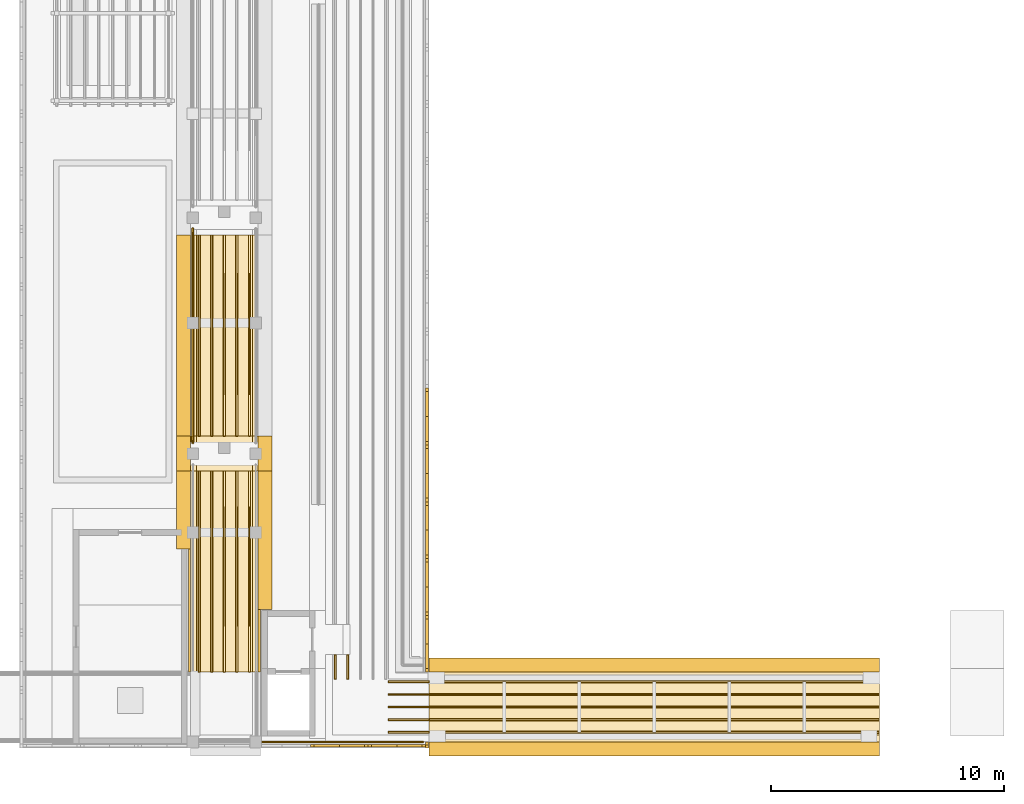
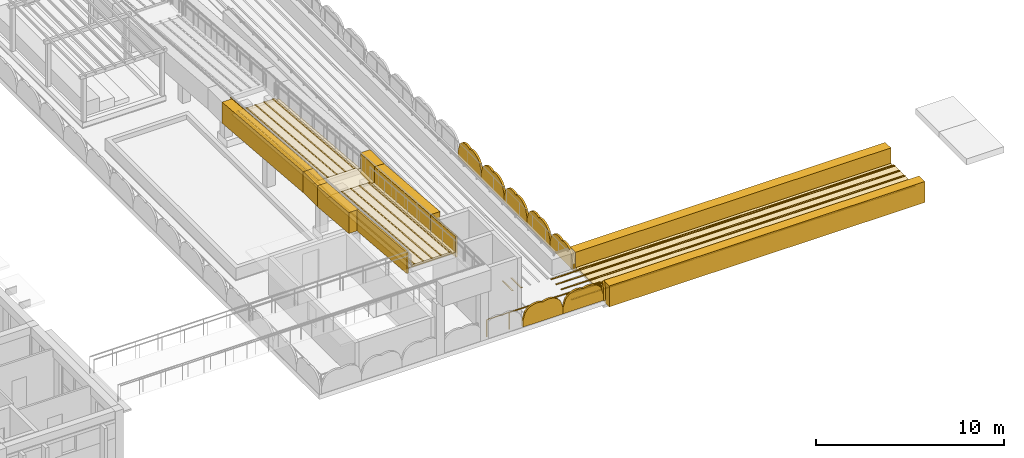
# One storey, part 62 of 65: 39 coverings, 8 shading devices, 2 railings.
"""IFC4 building model written with IfcOpenShell, lengths in metres."""

from ifc_helpers import new_model, si_unit, direction, frame, origin, origin_2d, place, context, subcontext, project, spatial, polyline, circle, outline, extrude, material, layer, layer_set, type_object, element, save


model = new_model("IFC4")

# Units and contexts
model_context = context("Model", 3, precision=1e-05, world=origin(), true_north=direction((0.0, 1.0)))
body_context = subcontext(model_context, "Body", "Model", "MODEL_VIEW")
ifc_project = project(units=[si_unit("LENGTHUNIT", "METRE"), si_unit("AREAUNIT", "SQUARE_METRE"), si_unit("VOLUMEUNIT", "CUBIC_METRE"), si_unit("PLANEANGLEUNIT", "RADIAN"), si_unit("MASSUNIT", "GRAM", prefix="KILO")], contexts=[model_context])

# Site, building, storey
site_placement = place(None, origin())
site = spatial("IfcSite", under=ifc_project, at=site_placement, CompositionType="ELEMENT")
building_placement = place(site_placement, origin())
building = spatial("IfcBuilding", under=site, at=building_placement, Name="Elbe Cascade School", CompositionType="ELEMENT")
storey_placement = place(building_placement, frame((0.0, 0.0, 11.699951171875)))
storey = spatial("IfcBuildingStorey", under=building, at=storey_placement, Name="L03", CompositionType="ELEMENT", Elevation=11.699951171875)

# Shading devices
ifc_material_1 = material(Name="Precast concrete C40/50", Category="concrete")
ifc_layer_1 = layer(ifc_material_1, 0.1201171875)
ifc_layer_set_1 = layer_set([ifc_layer_1], Name="Precast concrete C40/50")
shading_device_type = type_object("IfcShadingDeviceType", Name="Bars envelope Attic jali screen, pointed arch top, pierced precast concrete, 1200 high", PredefinedType="USERDEFINED", material=ifc_layer_set_1)
shading_device_1_placement = place(storey_placement, frame((145.52001953125, 5.75, 0.0), z_axis=(1.0, 0.0, 0.0), x_axis=(0.0, 1.0, 0.0)))
element("IfcShadingDevice", 1, at=shading_device_1_placement, inside=storey, type_object=shading_device_type, Name="Attic jali screen SD1 C.L03.e1", ObjectType="JALI", PredefinedType="USERDEFINED", context=body_context, shape_type="SweptSolid", body=[
    extrude(outline(polyline([(0.0, 0.0), (0.25, 0.0), (0.25, 0.400146484375), (0.234375, 0.685791015625), (0.21875, 0.8037109375), (0.203125, 0.8935546875), (0.1875, 0.96923828125), (0.171875, 1.035400390625), (0.15625, 1.094970703125), (0.140625, 1.149658203125), (0.125, 1.199951171875), (0.109375, 1.149658203125), (0.09375, 1.094970703125), (0.078125, 1.035400390625), (0.0625, 0.96923828125), (0.046875, 0.8935546875), (0.03125, 0.8037109375), (0.015625, 0.685791015625), (0.0, 0.400146484375), (0.0, 0.0)])), origin(), (0.0, 0.0, -1.0), 0.1201171875),
])
shading_device_2_placement = place(storey_placement, frame((145.52001953125, 9.0, 0.0), z_axis=(1.0, 0.0, 0.0), x_axis=(0.0, 1.0, 0.0)))
element("IfcShadingDevice", 2, at=shading_device_2_placement, inside=storey, type_object=shading_device_type, Name="Attic jali screen SD1 C.L03.e2", ObjectType="JALI", PredefinedType="USERDEFINED", context=body_context, shape_type="SweptSolid", body=[
    extrude(outline(polyline([(0.0, 0.0), (2.4404296875, 0.0), (2.4404296875, 0.400146484375), (2.287841796875, 0.892822265625), (2.135498046875, 1.062744140625), (1.98291015625, 1.16748046875), (1.830322265625, 1.23193359375), (1.677734375, 1.265380859375), (1.525390625, 1.271240234375), (1.372802734375, 1.250244140625), (1.22021484375, 1.199951171875), (1.067626953125, 1.250244140625), (0.915283203125, 1.271240234375), (0.7626953125, 1.265380859375), (0.610107421875, 1.23193359375), (0.45751953125, 1.16748046875), (0.30517578125, 1.062744140625), (0.152587890625, 0.892822265625), (0.0, 0.400146484375), (0.0, 0.0)])), origin(), (0.0, 0.0, -1.0), 0.1201171875),
])
shading_device_3_placement = place(storey_placement, frame((145.52001953125, 11.4404296875, 0.0), z_axis=(1.0, 0.0, 0.0), x_axis=(0.0, 1.0, 0.0)))
element("IfcShadingDevice", 3, at=shading_device_3_placement, inside=storey, type_object=shading_device_type, Name="Attic jali screen SD1 C.L03.e3", ObjectType="JALI", PredefinedType="USERDEFINED", context=body_context, shape_type="SweptSolid", body=[
    extrude(outline(polyline([(0.0, 0.0), (2.440673828125, 0.0), (2.440673828125, 0.400146484375), (2.2880859375, 0.892822265625), (2.135498046875, 1.062744140625), (1.98291015625, 1.16748046875), (1.830322265625, 1.23193359375), (1.677978515625, 1.265380859375), (1.525390625, 1.271240234375), (1.372802734375, 1.250244140625), (1.22021484375, 1.199951171875), (1.06787109375, 1.250244140625), (0.915283203125, 1.271240234375), (0.7626953125, 1.265380859375), (0.610107421875, 1.23193359375), (0.457763671875, 1.16748046875), (0.30517578125, 1.062744140625), (0.152587890625, 0.892822265625), (0.0, 0.400146484375), (0.0, 0.0)])), origin(), (0.0, 0.0, -1.0), 0.1201171875),
])
shading_device_4_placement = place(storey_placement, frame((145.52001953125, 13.881103515625, 0.0), z_axis=(1.0, 0.0, 0.0), x_axis=(0.0, 1.0, 0.0)))
element("IfcShadingDevice", 4, at=shading_device_4_placement, inside=storey, type_object=shading_device_type, Name="Attic jali screen SD1 C.L03.e4", ObjectType="JALI", PredefinedType="USERDEFINED", context=body_context, shape_type="SweptSolid", body=[
    extrude(outline(polyline([(0.0, 0.0), (2.440185546875, 0.0), (2.440185546875, 0.400146484375), (2.287841796875, 0.892822265625), (2.13525390625, 1.062744140625), (1.982666015625, 1.16748046875), (1.830078125, 1.23193359375), (1.677734375, 1.265380859375), (1.525146484375, 1.271240234375), (1.37255859375, 1.250244140625), (1.22021484375, 1.199951171875), (1.067626953125, 1.250244140625), (0.9150390625, 1.271240234375), (0.762451171875, 1.265380859375), (0.610107421875, 1.23193359375), (0.457275390625, 1.16748046875), (0.304931640625, 1.062744140625), (0.15234375, 0.892822265625), (0.0, 0.400146484375), (0.0, 0.0)])), origin(), (0.0, 0.0, -1.0), 0.1201171875),
])
shading_device_5_placement = place(storey_placement, frame((145.52001953125, 16.3212890625, 0.0), z_axis=(1.0, 0.0, 0.0), x_axis=(0.0, 1.0, 0.0)))
element("IfcShadingDevice", 5, at=shading_device_5_placement, inside=storey, type_object=shading_device_type, Name="Attic jali screen SD1 C.L03.e5", ObjectType="JALI", PredefinedType="USERDEFINED", context=body_context, shape_type="SweptSolid", body=[
    extrude(outline(polyline([(0.0, 0.0), (2.440673828125, 0.0), (2.440673828125, 0.400146484375), (2.2880859375, 0.892822265625), (2.135498046875, 1.062744140625), (1.98291015625, 1.16748046875), (1.83056640625, 1.23193359375), (1.677978515625, 1.265380859375), (1.525390625, 1.271240234375), (1.372802734375, 1.250244140625), (1.220458984375, 1.199951171875), (1.06787109375, 1.250244140625), (0.915283203125, 1.271240234375), (0.7626953125, 1.265380859375), (0.610107421875, 1.23193359375), (0.457763671875, 1.16748046875), (0.30517578125, 1.062744140625), (0.15283203125, 0.892822265625), (0.0, 0.400146484375), (0.0, 0.0)])), origin(), (0.0, 0.0, -1.0), 0.1201171875),
])
shading_device_6_placement = place(storey_placement, frame((145.52001953125, 18.761962890625, 0.0), z_axis=(1.0, 0.0, 0.0), x_axis=(0.0, 1.0, 0.0)))
element("IfcShadingDevice", 6, at=shading_device_6_placement, inside=storey, type_object=shading_device_type, Name="Attic jali screen SD1 C.L03.e6", ObjectType="JALI", PredefinedType="USERDEFINED", context=body_context, shape_type="SweptSolid", body=[
    extrude(outline(polyline([(0.0, 0.0), (2.4404296875, 0.0), (2.4404296875, 0.400146484375), (2.287841796875, 0.892822265625), (2.13525390625, 1.062744140625), (1.98291015625, 1.16748046875), (1.830322265625, 1.23193359375), (1.677734375, 1.265380859375), (1.525146484375, 1.271240234375), (1.372802734375, 1.250244140625), (1.22021484375, 1.199951171875), (1.067626953125, 1.250244140625), (0.9150390625, 1.271240234375), (0.7626953125, 1.265380859375), (0.610107421875, 1.23193359375), (0.45751953125, 1.16748046875), (0.304931640625, 1.062744140625), (0.15234375, 0.892822265625), (0.0, 0.400146484375), (0.0, 0.0)])), origin(), (0.0, 0.0, -1.0), 0.1201171875),
])
shading_device_7_placement = place(storey_placement, frame((140.45703125, 5.780029296875, 0.0), z_axis=(0.0, -1.0, 0.0), x_axis=(1.0, 0.0, 0.0)))
element("IfcShadingDevice", 7, at=shading_device_7_placement, inside=storey, type_object=shading_device_type, Name="Attic jali screen SD1 C.L03.s6", ObjectType="JALI", PredefinedType="USERDEFINED", context=body_context, shape_type="SweptSolid", body=[
    extrude(outline(polyline([(0.0, 0.0), (2.4716796875, 0.0), (2.4716796875, 0.400146484375), (2.317138671875, 0.89697265625), (2.16259765625, 1.068115234375), (2.008056640625, 1.17333984375), (1.853759765625, 1.23779296875), (1.69921875, 1.270751953125), (1.544677734375, 1.275390625), (1.390380859375, 1.252685546875), (1.23583984375, 1.199951171875), (1.081298828125, 1.252685546875), (0.9267578125, 1.275390625), (0.7724609375, 1.270751953125), (0.617919921875, 1.23779296875), (0.46337890625, 1.17333984375), (0.30908203125, 1.068115234375), (0.154541015625, 0.89697265625), (0.0, 0.400146484375), (0.0, 0.0)])), origin(), (0.0, 0.0, -1.0), 0.1201171875),
])
shading_device_8_placement = place(storey_placement, frame((142.9287109375, 5.780029296875, 0.0), z_axis=(0.0, -1.0, 0.0), x_axis=(1.0, 0.0, 0.0)))
element("IfcShadingDevice", 8, at=shading_device_8_placement, inside=storey, type_object=shading_device_type, Name="Attic jali screen SD1 C.L03.s7", ObjectType="JALI", PredefinedType="USERDEFINED", context=body_context, shape_type="SweptSolid", body=[
    extrude(outline(polyline([(0.0, 0.0), (2.47119140625, 0.0), (2.47119140625, 0.400146484375), (2.31689453125, 0.89697265625), (2.162353515625, 1.068115234375), (2.0078125, 1.17333984375), (1.853271484375, 1.23779296875), (1.698974609375, 1.270751953125), (1.54443359375, 1.275390625), (1.389892578125, 1.252685546875), (1.235595703125, 1.199951171875), (1.0810546875, 1.252685546875), (0.9267578125, 1.275390625), (0.772216796875, 1.270751953125), (0.61767578125, 1.23779296875), (0.46337890625, 1.17333984375), (0.308837890625, 1.068115234375), (0.154296875, 0.89697265625), (0.0, 0.400146484375), (0.0, 0.0)])), origin(), (0.0, 0.0, -1.0), 0.1201171875),
])

# Railing
ifc_material_2 = material(Name="Steel S355J2H, hot-dip galvanised", Category="steel")
railing_type_1 = type_object("IfcRailingType", Name="Bars envelope Roof edge guard 1100, galvanised steel", PredefinedType="GUARDRAIL", material=ifc_material_2)
railing_1_placement = place(storey_placement, frame((138.37109375, 6.0, 0.0)))
element("IfcRailing", 9, at=railing_1_placement, inside=storey, type_object=railing_type_1, Name="Roof edge guard RL10 C.L03.2", PredefinedType="GUARDRAIL", context=body_context, shape_type="SweptSolid", body=[
    extrude(circle(Radius=0.02392578125, at=origin_2d()), frame((0.0, 0.0, 1.076171875), z_axis=(1.0, 0.0, 0.0), x_axis=(0.0, 1.0, 0.0)), (0.0, 0.0, 1.0), 6.928955078125),
    extrude(circle(Radius=0.02099609375, at=origin_2d()), origin(), (0.0, 0.0, 1.0), 1.052001953125),
    extrude(circle(Radius=0.02099609375, at=origin_2d()), frame((1.3857421875, 0.0, 0.0)), (0.0, 0.0, 1.0), 1.052001953125),
    extrude(circle(Radius=0.02099609375, at=origin_2d()), frame((2.771484375, 0.0, 0.0)), (0.0, 0.0, 1.0), 1.052001953125),
    extrude(circle(Radius=0.02099609375, at=origin_2d()), frame((4.157470703125, 0.0, 0.0)), (0.0, 0.0, 1.0), 1.052001953125),
    extrude(circle(Radius=0.02099609375, at=origin_2d()), frame((5.543212890625, 0.0, 0.0)), (0.0, 0.0, 1.0), 1.052001953125),
    extrude(circle(Radius=0.02099609375, at=origin_2d()), frame((6.928955078125, 0.0, 0.0)), (0.0, 0.0, 1.0), 1.052001953125),
])

# Coverings
ifc_material_3 = material(Name="Running track surfacing - white lines", Category="surfacing")
ifc_layer_2 = layer(ifc_material_3, 0.02001953125)
ifc_layer_set_2 = layer_set([ifc_layer_2], Name="Running track surfacing - white lines")
covering_type_1 = type_object("IfcCoveringType", Name="Lane marking 80", PredefinedType="FLOORING", material=ifc_layer_set_2)
covering_1_placement = place(storey_placement, frame((0.0, 0.0, 0.219970703125)))
element("IfcCovering", 10, at=covering_1_placement, inside=storey, type_object=covering_type_1, Name="Lane marking C roof strip 1", PredefinedType="FLOORING", context=body_context, shape_type="SweptSolid", body=[
    extrude(outline(polyline([(141.56005859375, 8.699951171875), (141.47998046875, 8.699951171875), (141.47998046875, 9.75), (141.56005859375, 9.75), (141.56005859375, 8.699951171875)])), origin(), (0.0, 0.0, 1.0), 0.02001953125),
])
covering_2_placement = place(storey_placement, frame((0.0, 0.0, 0.219970703125)))
element("IfcCovering", 11, at=covering_2_placement, inside=storey, type_object=covering_type_1, Name="Lane marking C roof leg 1", PredefinedType="FLOORING", context=body_context, shape_type="SweptSolid", body=[
    extrude(outline(polyline([(143.800048828125, 6.3798828125), (145.550048828125, 6.3798828125), (145.550048828125, 6.4599609375), (143.800048828125, 6.4599609375), (143.800048828125, 6.3798828125)])), origin(), (0.0, 0.0, 1.0), 0.02001953125),
])
covering_3_placement = place(storey_placement, frame((0.0, 0.0, 0.219970703125)))
element("IfcCovering", 12, at=covering_3_placement, inside=storey, type_object=covering_type_1, Name="Lane marking C roof strip 2", PredefinedType="FLOORING", context=body_context, shape_type="SweptSolid", body=[
    extrude(outline(polyline([(142.10009765625, 8.699951171875), (142.02001953125, 8.699951171875), (142.02001953125, 9.75), (142.10009765625, 9.75), (142.10009765625, 8.699951171875)])), origin(), (0.0, 0.0, 1.0), 0.02001953125),
])
covering_4_placement = place(storey_placement, frame((0.0, 0.0, 0.219970703125)))
element("IfcCovering", 13, at=covering_4_placement, inside=storey, type_object=covering_type_1, Name="Lane marking C roof leg 2", PredefinedType="FLOORING", context=body_context, shape_type="SweptSolid", body=[
    extrude(outline(polyline([(143.800048828125, 6.919921875), (145.550048828125, 6.919921875), (145.550048828125, 7.0), (143.800048828125, 7.0), (143.800048828125, 6.919921875)])), origin(), (0.0, 0.0, 1.0), 0.02001953125),
])
covering_5_placement = place(storey_placement, frame((0.0, 0.0, 0.219970703125)))
element("IfcCovering", 14, at=covering_5_placement, inside=storey, type_object=covering_type_1, Name="Lane marking C roof leg 3", PredefinedType="FLOORING", context=body_context, shape_type="SweptSolid", body=[
    extrude(outline(polyline([(143.800048828125, 7.4599609375), (145.550048828125, 7.4599609375), (145.550048828125, 7.5400390625), (143.800048828125, 7.5400390625), (143.800048828125, 7.4599609375)])), origin(), (0.0, 0.0, 1.0), 0.02001953125),
])
covering_6_placement = place(storey_placement, frame((0.0, 0.0, 0.219970703125)))
element("IfcCovering", 15, at=covering_6_placement, inside=storey, type_object=covering_type_1, Name="Lane marking C roof leg 4", PredefinedType="FLOORING", context=body_context, shape_type="SweptSolid", body=[
    extrude(outline(polyline([(143.800048828125, 8.0), (145.550048828125, 8.0), (145.550048828125, 8.080078125), (143.800048828125, 8.080078125), (143.800048828125, 8.0)])), origin(), (0.0, 0.0, 1.0), 0.02001953125),
])
covering_7_placement = place(storey_placement, frame((0.0, 0.0, 0.219970703125)))
element("IfcCovering", 16, at=covering_7_placement, inside=storey, type_object=covering_type_1, Name="Lane marking C roof leg 5", PredefinedType="FLOORING", context=body_context, shape_type="SweptSolid", body=[
    extrude(outline(polyline([(143.800048828125, 8.5400390625), (145.550048828125, 8.5400390625), (145.550048828125, 8.6201171875), (143.800048828125, 8.6201171875), (143.800048828125, 8.5400390625)])), origin(), (0.0, 0.0, 1.0), 0.02001953125),
])
covering_8_placement = place(storey_placement, frame((0.0, 0.0, 0.219970703125)))
element("IfcCovering", 17, at=covering_8_placement, inside=storey, type_object=covering_type_1, Name="Lane marking bridge C-D 1", PredefinedType="FLOORING", context=body_context, shape_type="SweptSolid", body=[
    extrude(outline(polyline([(145.550048828125, 6.3798828125), (164.89990234375, 6.3798828125), (164.89990234375, 6.4599609375), (145.550048828125, 6.4599609375), (145.550048828125, 6.3798828125)])), origin(), (0.0, 0.0, 1.0), 0.02001953125),
])
covering_9_placement = place(storey_placement, frame((0.0, 0.0, 0.219970703125)))
element("IfcCovering", 18, at=covering_9_placement, inside=storey, type_object=covering_type_1, Name="Lane marking bridge C-D 2", PredefinedType="FLOORING", context=body_context, shape_type="SweptSolid", body=[
    extrude(outline(polyline([(145.550048828125, 6.919921875), (164.89990234375, 6.919921875), (164.89990234375, 7.0), (145.550048828125, 7.0), (145.550048828125, 6.919921875)])), origin(), (0.0, 0.0, 1.0), 0.02001953125),
])
covering_10_placement = place(storey_placement, frame((0.0, 0.0, 0.219970703125)))
element("IfcCovering", 19, at=covering_10_placement, inside=storey, type_object=covering_type_1, Name="Lane marking bridge C-D 3", PredefinedType="FLOORING", context=body_context, shape_type="SweptSolid", body=[
    extrude(outline(polyline([(145.550048828125, 7.4599609375), (164.89990234375, 7.4599609375), (164.89990234375, 7.5400390625), (145.550048828125, 7.5400390625), (145.550048828125, 7.4599609375)])), origin(), (0.0, 0.0, 1.0), 0.02001953125),
])
covering_11_placement = place(storey_placement, frame((0.0, 0.0, 0.219970703125)))
element("IfcCovering", 20, at=covering_11_placement, inside=storey, type_object=covering_type_1, Name="Lane marking bridge C-D 4", PredefinedType="FLOORING", context=body_context, shape_type="SweptSolid", body=[
    extrude(outline(polyline([(145.550048828125, 8.0), (164.89990234375, 8.0), (164.89990234375, 8.080078125), (145.550048828125, 8.080078125), (145.550048828125, 8.0)])), origin(), (0.0, 0.0, 1.0), 0.02001953125),
])
covering_12_placement = place(storey_placement, frame((0.0, 0.0, 0.219970703125)))
element("IfcCovering", 21, at=covering_12_placement, inside=storey, type_object=covering_type_1, Name="Lane marking bridge C-D 5", PredefinedType="FLOORING", context=body_context, shape_type="SweptSolid", body=[
    extrude(outline(polyline([(145.550048828125, 8.5400390625), (164.89990234375, 8.5400390625), (164.89990234375, 8.6201171875), (145.550048828125, 8.6201171875), (145.550048828125, 8.5400390625)])), origin(), (0.0, 0.0, 1.0), 0.02001953125),
])
for number, where, z_axis, x_axis, name in (
    (22, (135.6298828125, 9.0, 3.840087890625), (0.0, 0.08304314939, 0.996545952447), (0.0, 0.996545952447, -0.08304314939), "Lane marking C ramp flight 1 line 1"),
    (23, (136.169921875, 9.0, 3.840087890625), (0.0, 0.08304314939, 0.996545952447), (0.0, 0.996545952447, -0.08304314939), "Lane marking C ramp flight 1 line 2"),
    (24, (136.7099609375, 9.0, 3.840087890625), (0.0, 0.08304314939, 0.996545952447), (0.0, 0.996545952447, -0.08304314939), "Lane marking C ramp flight 1 line 3"),
    (25, (137.25, 9.0, 3.840087890625), (0.0, 0.08304314939, 0.996545952447), (0.0, 0.996545952447, -0.08304314939), "Lane marking C ramp flight 1 line 4"),
    (26, (137.7900390625, 9.0, 3.840087890625), (0.0, 0.08304314939, 0.996545952447), (0.0, 0.996545952447, -0.08304314939), "Lane marking C ramp flight 1 line 5"),
):
    element("IfcCovering", number, at=place(storey_placement, frame(where, z_axis=z_axis, x_axis=x_axis)), inside=storey, type_object=covering_type_1, Name=name, PredefinedType="FLOORING", context=body_context, shape_type="SweptSolid", body=[
        extrude(outline(polyline([(0.0, 0.0), (8.669838612967244, 0.0), (8.669838612967244, -0.08007812500000001), (0.0, -0.08007812500000001), (0.0, 0.0)])), origin(), (0.08304314939, 0.0, -0.996545952447), 0.02001953125),
    ])
for number, where, z_axis, x_axis, name in (
    (27, (135.6298828125, 19.139892578125, 3.1201171875), (0.0, 0.083040819057, 0.996546146634), (0.0, 0.996546146634, -0.083040819057), "Lane marking C ramp flight 2 line 1"),
    (28, (136.169921875, 19.139892578125, 3.1201171875), (0.0, 0.083040819057, 0.996546146634), (0.0, 0.996546146634, -0.083040819057), "Lane marking C ramp flight 2 line 2"),
    (29, (136.7099609375, 19.139892578125, 3.1201171875), (0.0, 0.083040819057, 0.996546146634), (0.0, 0.996546146634, -0.083040819057), "Lane marking C ramp flight 2 line 3"),
    (30, (137.25, 19.139892578125, 3.1201171875), (0.0, 0.083040819057, 0.996546146634), (0.0, 0.996546146634, -0.083040819057), "Lane marking C ramp flight 2 line 4"),
    (31, (137.7900390625, 19.139892578125, 3.1201171875), (0.0, 0.083040819057, 0.996546146634), (0.0, 0.996546146634, -0.083040819057), "Lane marking C ramp flight 2 line 5"),
):
    element("IfcCovering", number, at=place(storey_placement, frame(where, z_axis=z_axis, x_axis=x_axis)), inside=storey, type_object=covering_type_1, Name=name, PredefinedType="FLOORING", context=body_context, shape_type="SweptSolid", body=[
        extrude(outline(polyline([(0.0, 0.0), (8.670081910342619, 0.0), (8.670081910342619, -0.080078125), (0.0, -0.080078125), (0.0, 0.0)])), origin(), (0.083040819057, 0.0, -0.996546146634), 0.02001953125),
    ])
ifc_material_4 = material(Name="Concrete C30/37 precast parapet", Category="concrete")
ifc_layer_3 = layer(ifc_material_4, 0.60009765625)
ifc_layer_set_3 = layer_set([ifc_layer_3], Name="Concrete C30/37 precast parapet")
covering_type_2 = type_object("IfcCoveringType", Name="Ramp and bridge parapet 600", PredefinedType="CLADDING", material=ifc_layer_set_3)
covering_13_placement = place(storey_placement, frame((0.0, 0.0, 2.64013671875)))
element("IfcCovering", 32, at=covering_13_placement, inside=storey, type_object=covering_type_2, Name="Ramp C landing 2 parapet w1", PredefinedType="CLADDING", context=body_context, shape_type="SweptSolid", body=[
    extrude(outline(polyline([(134.699951171875, 17.639892578125), (135.300048828125, 17.639892578125), (135.300048828125, 19.139892578125), (134.699951171875, 19.139892578125), (134.699951171875, 17.639892578125)])), origin(), (0.0, 0.0, 1.0), 1.35986328125),
])
covering_14_placement = place(storey_placement, frame((134.699951171875, 14.300048828125, 4.2783203125), z_axis=(0.0, 0.083045479854, 0.996545758245), x_axis=(0.0, 0.996545758245, -0.083045479854)))
element("IfcCovering", 33, at=covering_14_placement, inside=storey, type_object=covering_type_2, Name="Ramp C flight 1 parapet w2", PredefinedType="CLADDING", context=body_context, shape_type="SweptSolid", body=[
    extrude(outline(polyline([(0.0, 0.0), (3.3514203661677775, 0.0), (3.3514203661677775, -0.60009765625), (0.0, -0.60009765625), (0.0, 0.0)])), origin(), (0.083045479854, 0.0, -0.996545758245), 1.360107421875),
])
covering_15_placement = place(storey_placement, frame((134.699951171875, 19.139892578125, 4.0), z_axis=(0.0, 0.083040819057, 0.996546146634), x_axis=(0.0, 0.996546146634, -0.083040819057)))
element("IfcCovering", 34, at=covering_15_placement, inside=storey, type_object=covering_type_2, Name="Ramp C flight 2 parapet w1", PredefinedType="CLADDING", context=body_context, shape_type="SweptSolid", body=[
    extrude(outline(polyline([(0.0, 0.0), (8.670081910342619, 0.0), (8.670081910342619, -0.60009765625), (0.0, -0.60009765625), (0.0, 0.0)])), origin(), (0.083040819057, 0.0, -0.996546146634), 1.360107421875),
])
covering_16_placement = place(storey_placement, frame((0.0, 0.0, 2.64013671875)))
element("IfcCovering", 35, at=covering_16_placement, inside=storey, type_object=covering_type_2, Name="Ramp C landing 2 parapet e1", PredefinedType="CLADDING", context=body_context, shape_type="SweptSolid", body=[
    extrude(outline(polyline([(138.199951171875, 17.639892578125), (138.800048828125, 17.639892578125), (138.800048828125, 19.139892578125), (138.199951171875, 19.139892578125), (138.199951171875, 17.639892578125)])), origin(), (0.0, 0.0, 1.0), 1.35986328125),
])
covering_17_placement = place(storey_placement, frame((138.199951171875, 11.699951171875, 4.4951171875), z_axis=(0.0, 0.083065818335, 0.996544063162), x_axis=(0.0, 0.996544063162, -0.083065818335)))
element("IfcCovering", 36, at=covering_17_placement, inside=storey, type_object=covering_type_2, Name="Ramp C flight 1 parapet e2", PredefinedType="CLADDING", context=body_context, shape_type="SweptSolid", body=[
    extrude(outline(polyline([(0.0, 0.0), (5.9605406582826985, 0.0), (5.9605406582826985, -0.6000976562500001), (0.0, -0.6000976562500001), (0.0, 0.0)])), origin(), (0.083065818335, 0.0, -0.996544063162), 1.360107421875),
])
covering_18_placement = place(storey_placement, frame((0.0, 0.0, -0.239990234375)))
element("IfcCovering", 37, at=covering_18_placement, inside=storey, type_object=covering_type_2, Name="Bridge C-D parapet s", PredefinedType="CLADDING", context=body_context, shape_type="SweptSolid", body=[
    extrude(outline(polyline([(145.550048828125, 5.39990234375), (164.89990234375, 5.39990234375), (164.89990234375, 6.0), (145.550048828125, 6.0), (145.550048828125, 5.39990234375)])), origin(), (0.0, 0.0, 1.0), 1.360107421875),
])
covering_19_placement = place(storey_placement, frame((0.0, 0.0, -0.239990234375)))
element("IfcCovering", 38, at=covering_19_placement, inside=storey, type_object=covering_type_2, Name="Bridge C-D parapet n", PredefinedType="CLADDING", context=body_context, shape_type="SweptSolid", body=[
    extrude(outline(polyline([(145.550048828125, 9.0), (164.89990234375, 9.0), (164.89990234375, 9.60009765625), (145.550048828125, 9.60009765625), (145.550048828125, 9.0)])), origin(), (0.0, 0.0, 1.0), 1.360107421875),
])
ifc_material_5 = material(Name="Concrete C30/37 precast parapet", Category="concrete")
ifc_layer_4 = layer(ifc_material_5, 0.10009765625)
ifc_layer_set_4 = layer_set([ifc_layer_4], Name="Concrete C30/37 precast parapet")
covering_type_3 = type_object("IfcCoveringType", Name="Ramp parapet beside a wall 100", PredefinedType="CLADDING", material=ifc_layer_set_4)
covering_20_placement = place(storey_placement, frame((135.199951171875, 9.0, 4.719970703125), z_axis=(0.0, 0.08304168084, 0.996546074822), x_axis=(0.0, 0.996546074822, -0.08304168084)))
element("IfcCovering", 39, at=covering_20_placement, inside=storey, type_object=covering_type_3, Name="Ramp C flight 1 parapet w1", PredefinedType="CLADDING", context=body_context, shape_type="SweptSolid", body=[
    extrude(outline(polyline([(0.0, 0.0), (5.318418246814405, 0.0), (5.318418246814405, -0.10009765625000003), (0.0, -0.10009765625000003), (0.0, 0.0)])), origin(), (0.08304168084, 0.0, -0.996546074822), 1.360107421875),
])
covering_21_placement = place(storey_placement, frame((138.199951171875, 9.0, 4.719970703125), z_axis=(0.0, 0.082993276847, 0.996550107119), x_axis=(0.0, 0.996550107119, -0.082993276847)))
element("IfcCovering", 40, at=covering_21_placement, inside=storey, type_object=covering_type_3, Name="Ramp C flight 1 parapet e1", PredefinedType="CLADDING", context=body_context, shape_type="SweptSolid", body=[
    extrude(outline(polyline([(0.0, 0.0), (2.709297959619449, 0.0), (2.709297959619449, -0.10009765625), (0.0, -0.10009765625), (0.0, 0.0)])), origin(), (0.082993276847, 0.0, -0.996550107119), 1.360107421875),
])
ifc_material_6 = material(Name="Running track surfacing - red", Category="surfacing")
ifc_layer_5 = layer(ifc_material_6, 0.10009765625)
ifc_layer_set_5 = layer_set([ifc_layer_5], Name="Running track surfacing - red")
covering_type_4 = type_object("IfcCoveringType", Name="Running track band 100", PredefinedType="USERDEFINED", material=ifc_layer_set_5)
covering_22_placement = place(storey_placement, frame((0.0, 0.0, 3.0)))
element("IfcCovering", 41, at=covering_22_placement, inside=storey, type_object=covering_type_4, Name="Running track band C ramp landing 2", ObjectType="RUNNING TRACK", PredefinedType="USERDEFINED", context=body_context, shape_type="SweptSolid", body=[
    extrude(outline(polyline([(137.949951171875, 17.639892578125), (137.949951171875, 19.139892578125), (135.550048828125, 19.139892578125), (135.550048828125, 17.639892578125), (137.949951171875, 17.639892578125)])), origin(), (0.0, 0.0, 1.0), 0.10009765625),
])
covering_23_placement = place(storey_placement, frame((135.550048828125, 9.0, 3.820068359375), z_axis=(0.0, 0.08304314939, 0.996545952447), x_axis=(0.0, 0.996545952447, -0.08304314939)))
element("IfcCovering", 42, at=covering_23_placement, inside=storey, type_object=covering_type_4, Name="Running track band C ramp flight 1", ObjectType="RUNNING TRACK", PredefinedType="USERDEFINED", context=body_context, shape_type="SweptSolid", body=[
    extrude(outline(polyline([(0.0, 0.0), (8.669838612967244, 0.0), (8.669838612967244, -2.3999023437500004), (0.0, -2.3999023437500004), (0.0, 0.0)])), origin(), (0.08304314939, 0.0, -0.996545952447), 0.10009765625),
])
covering_24_placement = place(storey_placement, frame((135.550048828125, 19.139892578125, 3.10009765625), z_axis=(0.0, 0.083040819057, 0.996546146634), x_axis=(0.0, 0.996546146634, -0.083040819057)))
element("IfcCovering", 43, at=covering_24_placement, inside=storey, type_object=covering_type_4, Name="Running track band C ramp flight 2", ObjectType="RUNNING TRACK", PredefinedType="USERDEFINED", context=body_context, shape_type="SweptSolid", body=[
    extrude(outline(polyline([(0.0, 0.0), (8.670081910342619, 0.0), (8.670081910342619, -2.39990234375), (0.0, -2.39990234375), (0.0, 0.0)])), origin(), (0.083040819057, 0.0, -0.996546146634), 0.10009765625),
])
covering_25_placement = place(storey_placement, frame((0.0, 0.0, 0.1201171875)))
element("IfcCovering", 44, at=covering_25_placement, inside=storey, type_object=covering_type_4, Name="Running track band bridge C-D", ObjectType="RUNNING TRACK", PredefinedType="USERDEFINED", context=body_context, shape_type="SweptSolid", body=[
    extrude(outline(polyline([(164.89990234375, 6.300048828125), (164.89990234375, 8.699951171875), (145.550048828125, 8.699951171875), (145.550048828125, 6.300048828125), (164.89990234375, 6.300048828125)])), origin(), (0.0, 0.0, 1.0), 0.099853515625),
])
ifc_material_7 = material(Name="Running track surfacing - red", Category="surfacing")
ifc_layer_6 = layer(ifc_material_7, 0.06005859375)
ifc_layer_set_6 = layer_set([ifc_layer_6], Name="Running track surfacing - red")
covering_type_5 = type_object("IfcCoveringType", Name="Running track surfacing 60", PredefinedType="USERDEFINED", material=ifc_layer_set_6)
covering_26_placement = place(storey_placement, frame((0.0, 0.0, 2.93994140625)))
element("IfcCovering", 45, at=covering_26_placement, inside=storey, type_object=covering_type_5, Name="Running track C ramp landing 2", ObjectType="RUNNING TRACK", PredefinedType="USERDEFINED", context=body_context, shape_type="SweptSolid", body=[
    extrude(outline(polyline([(138.199951171875, 17.639892578125), (138.199951171875, 19.139892578125), (135.300048828125, 19.139892578125), (135.300048828125, 17.639892578125), (138.199951171875, 17.639892578125)])), origin(), (0.0, 0.0, 1.0), 0.06005859375),
])
covering_27_placement = place(storey_placement, frame((135.300048828125, 9.0, 3.719970703125), z_axis=(0.0, 0.08304314939, 0.996545952447), x_axis=(0.0, 0.996545952447, -0.08304314939)))
element("IfcCovering", 46, at=covering_27_placement, inside=storey, type_object=covering_type_5, Name="Running track C ramp flight 1", ObjectType="RUNNING TRACK", PredefinedType="USERDEFINED", context=body_context, shape_type="SweptSolid", body=[
    extrude(outline(polyline([(0.0, 0.0), (8.669838612967244, 0.0), (8.669838612967244, -2.89990234375), (0.0, -2.89990234375), (0.0, 0.0)])), origin(), (0.08304314939, 0.0, -0.996545952447), 0.06005859375),
])
covering_28_placement = place(storey_placement, frame((135.300048828125, 19.139892578125, 3.0), z_axis=(0.0, 0.083040819057, 0.996546146634), x_axis=(0.0, 0.996546146634, -0.083040819057)))
element("IfcCovering", 47, at=covering_28_placement, inside=storey, type_object=covering_type_5, Name="Running track C ramp flight 2", ObjectType="RUNNING TRACK", PredefinedType="USERDEFINED", context=body_context, shape_type="SweptSolid", body=[
    extrude(outline(polyline([(0.0, 0.0), (8.670081910342619, 0.0), (8.670081910342619, -2.89990234375), (0.0, -2.89990234375), (0.0, 0.0)])), origin(), (0.083040819057, 0.0, -0.996546146634), 0.06005859375),
])
covering_29_placement = place(storey_placement, frame((0.0, 0.0, 0.06005859375)))
element("IfcCovering", 48, at=covering_29_placement, inside=storey, type_object=covering_type_5, Name="Running track bridge C-D", ObjectType="RUNNING TRACK", PredefinedType="USERDEFINED", context=body_context, shape_type="SweptSolid", body=[
    extrude(outline(polyline([(145.550048828125, 6.0), (164.89990234375, 6.0), (164.89990234375, 9.0), (145.550048828125, 9.0), (145.550048828125, 6.0)])), origin(), (0.0, 0.0, 1.0), 0.06005859375),
])

# Railing
ifc_material_8 = material(Name="Steel S355J2H", Category="steel")
railing_type_2 = type_object("IfcRailingType", Name="Track handrail 900", PredefinedType="HANDRAIL", material=ifc_material_8)
railing_2_placement = place(storey_placement, frame((135.39990234375, 18.840087890625, 3.0)))
element("IfcRailing", 49, at=railing_2_placement, inside=storey, type_object=railing_type_2, Name="Track handrail RL5 B-C north and west flight 2", PredefinedType="HANDRAIL", context=body_context, shape_type="SweptSolid", body=[
    extrude(circle(Radius=0.0400390625, at=origin_2d()), frame((0.0, 0.0, 0.85986328125), z_axis=(0.0, 1.0, 0.0), x_axis=(-1.0, 0.0, 0.0)), (0.0, 0.0, 1.0), 0.2998046875),
    extrude(circle(Radius=0.0400390625, at=origin_2d()), frame((0.0, 0.2998046875, 0.85986328125), z_axis=(0.0, 0.996546146634, -0.083040819057), x_axis=(-1.0, 0.0, 0.0)), (0.0, 0.0, 1.0), 8.670166015625),
    extrude(circle(Radius=0.0400390625, at=origin_2d()), frame((0.0, 8.93994140625, 0.139892578125), z_axis=(0.0, 1.0, 0.0), x_axis=(-1.0, 0.0, 0.0)), (0.0, 0.0, 1.0), 0.300048828125),
    extrude(circle(Radius=0.02099609375, at=origin_2d()), origin(), (0.0, 0.0, 1.0), 0.81982421875),
    extrude(circle(Radius=0.02099609375, at=origin_2d()), frame((0.0, 0.2998046875, 0.0)), (0.0, 0.0, 1.0), 0.81982421875),
    extrude(circle(Radius=0.02099609375, at=origin_2d()), frame((0.0, 1.5341796875, -0.102783203125)), (0.0, 0.0, 1.0), 0.81982421875),
    extrude(circle(Radius=0.02099609375, at=origin_2d()), frame((0.0, 2.768310546875, -0.205810546875)), (0.0, 0.0, 1.0), 0.81982421875),
    extrude(circle(Radius=0.02099609375, at=origin_2d()), frame((0.0, 4.002685546875, -0.30859375)), (0.0, 0.0, 1.0), 0.81982421875),
    extrude(circle(Radius=0.02099609375, at=origin_2d()), frame((0.0, 5.237060546875, -0.411376953125)), (0.0, 0.0, 1.0), 0.81982421875),
    extrude(circle(Radius=0.02099609375, at=origin_2d()), frame((0.0, 6.471435546875, -0.51416015625)), (0.0, 0.0, 1.0), 0.81982421875),
    extrude(circle(Radius=0.02099609375, at=origin_2d()), frame((0.0, 7.70556640625, -0.6171875)), (0.0, 0.0, 1.0), 0.81982421875),
    extrude(circle(Radius=0.02099609375, at=origin_2d()), frame((0.0, 8.93994140625, -0.719970703125)), (0.0, 0.0, 1.0), 0.81982421875),
    extrude(circle(Radius=0.02099609375, at=origin_2d()), frame((0.0, 9.239990234375, -0.719970703125)), (0.0, 0.0, 1.0), 0.81982421875),
])

save(model, "model.ifc")
